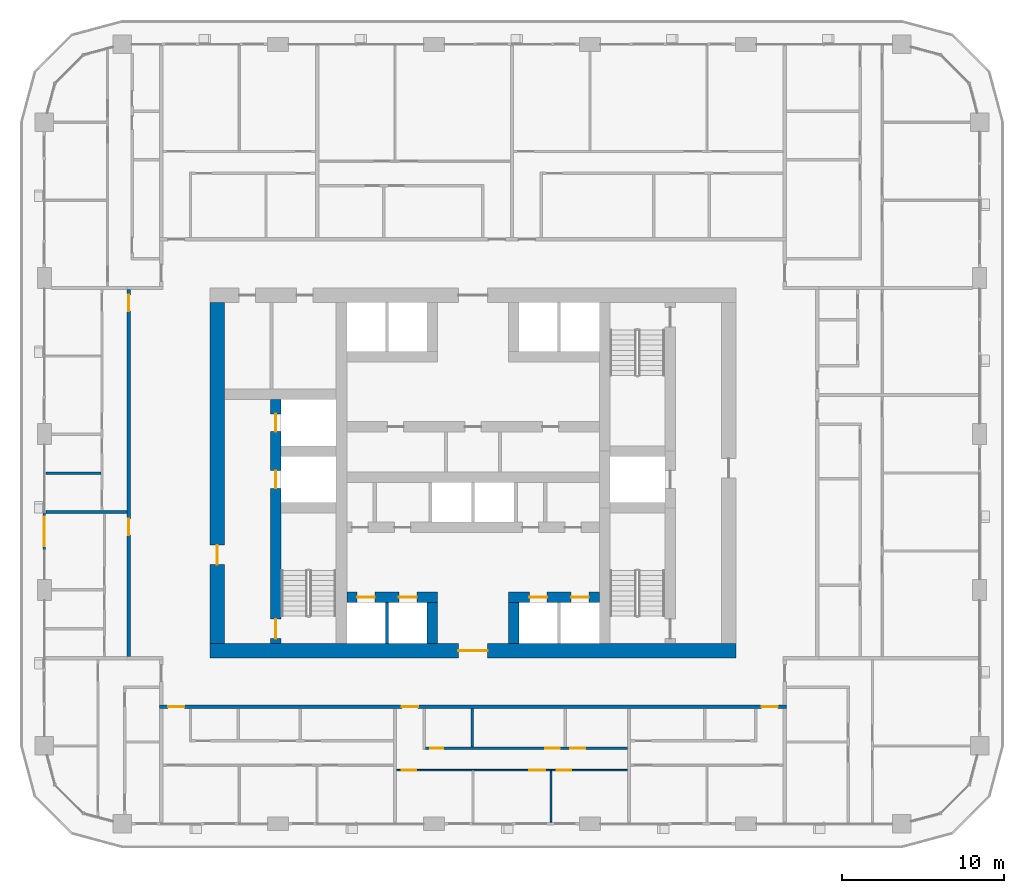
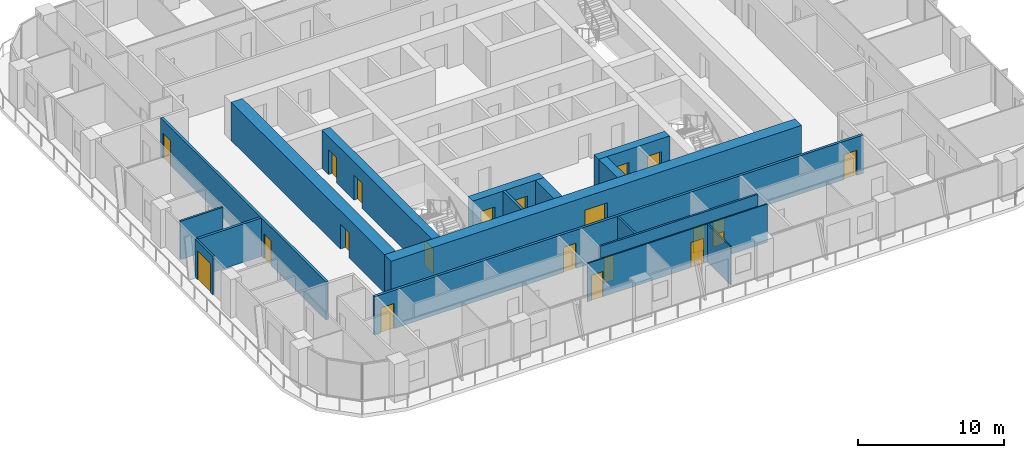
# One storey, part 10 of 22: 21 doors, 17 walls, 21 openings.
"""IFC4 building model written with IfcOpenShell, lengths in metres."""

from ifc_helpers import new_model, si_unit, direction, frame, frame_2d, origin, place, context, subcontext, project, spatial, rectangle, extrude, material, layer, layer_set, type_object, element, fill, save


model = new_model("IFC4")

# Units and contexts
model_context = context("Model", 3, precision=1e-05, world=origin(), true_north=direction((0.0, 1.0)))
body_context = subcontext(model_context, "Body", "Model", "MODEL_VIEW")
ifc_project = project(units=[si_unit("LENGTHUNIT", "METRE"), si_unit("AREAUNIT", "SQUARE_METRE"), si_unit("VOLUMEUNIT", "CUBIC_METRE"), si_unit("PLANEANGLEUNIT", "RADIAN"), si_unit("MASSUNIT", "GRAM", prefix="KILO")], contexts=[model_context])

# Site, building, storey
site_placement = place(None, origin())
site = spatial("IfcSite", under=ifc_project, at=site_placement, CompositionType="ELEMENT")
building_placement = place(site_placement, origin())
building = spatial("IfcBuilding", under=site, at=building_placement, Name="Madar Terraces", CompositionType="ELEMENT")
storey_placement = place(building_placement, frame((0.0, 0.0, 99.699951171875)))
storey = spatial("IfcBuildingStorey", under=building, at=storey_placement, Name="L25", CompositionType="ELEMENT", Elevation=99.699951171875)

# Wall, openings, doors
ifc_material_1 = material(Name="Concrete C80/95", Category="concrete")
ifc_layer_1 = layer(ifc_material_1, 0.64990234375)
ifc_layer_set_1 = layer_set([ifc_layer_1], Name="Concrete C80/95 (CIW2 RC wall 650)")
wall_type_1 = type_object("IfcWallType", Name="CIW2 RC wall 650", PredefinedType="SHEAR", material=ifc_layer_set_1)
wall_1_placement = place(storey_placement, frame((19.050048828125, 15.89990234375, 0.0), z_axis=(0.0, 0.0, 1.0), x_axis=(0.0, 1.0, 0.0)))
wall_1 = element("IfcWall", 1, at=wall_1_placement, inside=storey, type_object=wall_type_1, Name="CORE SHAFT WALL", PredefinedType="SHEAR", context=body_context, shape_type="SweptSolid", body=[
    extrude(rectangle(XDim=15.025146484375, YDim=0.64990234375, at=frame_2d((7.5126953125, 0.0))), origin(), (0.0, 0.0, 1.0), 3.199951171875),
])
opening_1_placement = place(wall_1_placement, frame((9.550048828125, 0.0, 0.0)))
opening_1 = element("IfcOpeningElement", 2, at=opening_1_placement, cuts=wall_1, Name="Opening LD", PredefinedType="OPENING", context=body_context, shape_type="SweptSolid", body=[
    extrude(rectangle(XDim=1.10009765625, YDim=2.10009765625, at=frame_2d((0.550048828125, 1.050048828125))), frame((0.0, 0.3349609375, 0.0), z_axis=(0.0, -1.0, 0.0), x_axis=(1.0, 0.0, 0.0)), (0.0, 0.0, 1.0), 0.669921875),
])
opening_2_placement = place(wall_1_placement, frame((13.050048828125, 0.0, 0.0)))
opening_2 = element("IfcOpeningElement", 3, at=opening_2_placement, cuts=wall_1, Name="Opening LD", PredefinedType="OPENING", context=body_context, shape_type="SweptSolid", body=[
    extrude(rectangle(XDim=1.10009765625, YDim=2.10009765625, at=frame_2d((0.550048828125, 1.050048828125))), frame((0.0, 0.3349609375, 0.0), z_axis=(0.0, -1.0, 0.0), x_axis=(1.0, 0.0, 0.0)), (0.0, 0.0, 1.0), 0.669921875),
])
opening_3_placement = place(wall_1_placement, frame((0.300048828125, 0.0, 0.0)))
opening_3 = element("IfcOpeningElement", 4, at=opening_3_placement, cuts=wall_1, Name="Opening SD1", PredefinedType="OPENING", context=body_context, shape_type="SweptSolid", body=[
    extrude(rectangle(XDim=1.199951171875, YDim=2.10009765625, at=frame_2d((0.60009765625, 1.050048828125))), frame((0.0, 0.3349609375, 0.0), z_axis=(0.0, -1.0, 0.0), x_axis=(1.0, 0.0, 0.0)), (0.0, 0.0, 1.0), 0.669921875),
])
ifc_material_2 = material(Name="Stainless steel panel", Category="steel")
door_type_1 = type_object("IfcDoorType", Name="Lift landing door 1100 x 2100", OperationType="DOUBLE_DOOR_SLIDING", PredefinedType="DOOR", material=ifc_material_2)
door_1_placement = place(opening_1_placement, origin())
door_1 = element("IfcDoor", 5, at=door_1_placement, inside=storey, type_object=door_type_1, Name="LIFT LANDING DOOR", OperationType="DOUBLE_DOOR_SLIDING", OverallHeight=2.10009765625, OverallWidth=1.10009765625, PredefinedType="DOOR", context=body_context, shape_type="SweptSolid", body=[
    extrude(rectangle(XDim=1.10009765625, YDim=2.10009765625, at=frame_2d((0.550048828125, 1.050048828125))), frame((0.0, 0.02490234375, 0.0), z_axis=(0.0, -1.0, 0.0), x_axis=(1.0, 0.0, 0.0)), (0.0, 0.0, 1.0), 0.050048828125),
])
fill(opening_1, door_1)
door_2_placement = place(opening_2_placement, origin())
door_2 = element("IfcDoor", 6, at=door_2_placement, inside=storey, type_object=door_type_1, Name="LIFT LANDING DOOR", OperationType="DOUBLE_DOOR_SLIDING", OverallHeight=2.10009765625, OverallWidth=1.10009765625, PredefinedType="DOOR", context=body_context, shape_type="SweptSolid", body=[
    extrude(rectangle(XDim=1.10009765625, YDim=2.10009765625, at=frame_2d((0.550048828125, 1.050048828125))), frame((0.0, 0.02490234375, 0.0), z_axis=(0.0, -1.0, 0.0), x_axis=(1.0, 0.0, 0.0)), (0.0, 0.0, 1.0), 0.050048828125),
])
fill(opening_2, door_2)
ifc_material_3 = material(Name="Steel door leaf", Category="steel")
door_type_2 = type_object("IfcDoorType", Name="Stair door 1200 x 2100", OperationType="NOTDEFINED", PredefinedType="DOOR", material=ifc_material_3)
door_3_placement = place(opening_3_placement, frame((1.199951171875, 0.0, 0.0), z_axis=(0.0, 0.0, 1.0), x_axis=(-1.0, 0.0, 0.0)))
door_3 = element("IfcDoor", 7, at=door_3_placement, inside=storey, type_object=door_type_2, Name="STAIR DOOR", OperationType="SINGLE_SWING_LEFT", OverallHeight=2.10009765625, OverallWidth=1.199951171875, PredefinedType="DOOR", context=body_context, shape_type="SweptSolid", body=[
    extrude(rectangle(XDim=1.199951171875, YDim=2.10009765625, at=frame_2d((0.60009765625, 1.050048828125))), frame((0.0, 0.02490234375, 0.0), z_axis=(0.0, -1.0, 0.0), x_axis=(1.0, 0.0, 0.0)), (0.0, 0.0, 1.0), 0.050048828125),
])
fill(opening_3, door_3)

wall_2_placement = place(storey_placement, frame((23.425048828125, 18.75, 0.0), z_axis=(0.0, 0.0, 1.0), x_axis=(1.0, 0.0, 0.0)))
wall_2 = element("IfcWall", 8, at=wall_2_placement, inside=storey, type_object=wall_type_1, Name="CORE SHAFT WALL", PredefinedType="SHEAR", context=body_context, shape_type="SweptSolid", body=[
    extrude(rectangle(XDim=5.599853515625, YDim=0.64990234375, at=frame_2d((2.7998046875, 0.0))), origin(), (0.0, 0.0, 1.0), 3.199951171875),
])
opening_4_placement = place(wall_2_placement, frame((0.637451171875, 0.0, 0.0)))
opening_4 = element("IfcOpeningElement", 9, at=opening_4_placement, cuts=wall_2, Name="Opening LD", PredefinedType="OPENING", context=body_context, shape_type="SweptSolid", body=[
    extrude(rectangle(XDim=1.10009765625, YDim=2.10009765625, at=frame_2d((0.550048828125, 1.050048828125))), frame((0.0, 0.3349609375, 0.0), z_axis=(0.0, -1.0, 0.0), x_axis=(1.0, 0.0, 0.0)), (0.0, 0.0, 1.0), 0.669921875),
])
opening_5_placement = place(wall_2_placement, frame((3.21240234375, 0.0, 0.0)))
opening_5 = element("IfcOpeningElement", 10, at=opening_5_placement, cuts=wall_2, Name="Opening LD", PredefinedType="OPENING", context=body_context, shape_type="SweptSolid", body=[
    extrude(rectangle(XDim=1.10009765625, YDim=2.10009765625, at=frame_2d((0.550048828125, 1.050048828125))), frame((0.0, 0.3349609375, 0.0), z_axis=(0.0, -1.0, 0.0), x_axis=(1.0, 0.0, 0.0)), (0.0, 0.0, 1.0), 0.669921875),
])
door_4_placement = place(opening_4_placement, origin())
door_4 = element("IfcDoor", 11, at=door_4_placement, inside=storey, type_object=door_type_1, Name="LIFT LANDING DOOR", OperationType="DOUBLE_DOOR_SLIDING", OverallHeight=2.10009765625, OverallWidth=1.10009765625, PredefinedType="DOOR", context=body_context, shape_type="SweptSolid", body=[
    extrude(rectangle(XDim=1.10009765625, YDim=2.10009765625, at=frame_2d((0.550048828125, 1.050048828125))), frame((0.0, 0.02490234375, 0.0), z_axis=(0.0, -1.0, 0.0), x_axis=(1.0, 0.0, 0.0)), (0.0, 0.0, 1.0), 0.050048828125),
])
fill(opening_4, door_4)
door_5_placement = place(opening_5_placement, origin())
door_5 = element("IfcDoor", 12, at=door_5_placement, inside=storey, type_object=door_type_1, Name="LIFT LANDING DOOR", OperationType="DOUBLE_DOOR_SLIDING", OverallHeight=2.10009765625, OverallWidth=1.10009765625, PredefinedType="DOOR", context=body_context, shape_type="SweptSolid", body=[
    extrude(rectangle(XDim=1.10009765625, YDim=2.10009765625, at=frame_2d((0.550048828125, 1.050048828125))), frame((0.0, 0.02490234375, 0.0), z_axis=(0.0, -1.0, 0.0), x_axis=(1.0, 0.0, 0.0)), (0.0, 0.0, 1.0), 0.050048828125),
])
fill(opening_5, door_5)

wall_3_placement = place(storey_placement, frame((33.375, 18.75, 0.0), z_axis=(0.0, 0.0, 1.0), x_axis=(1.0, 0.0, 0.0)))
wall_3 = element("IfcWall", 13, at=wall_3_placement, inside=storey, type_object=wall_type_1, Name="CORE SHAFT WALL", PredefinedType="SHEAR", context=body_context, shape_type="SweptSolid", body=[
    extrude(rectangle(XDim=5.60009765625, YDim=0.64990234375, at=frame_2d((2.800048828125, 0.0))), origin(), (0.0, 0.0, 1.0), 3.199951171875),
])
opening_6_placement = place(wall_3_placement, frame((1.28759765625, 0.0, 0.0)))
opening_6 = element("IfcOpeningElement", 14, at=opening_6_placement, cuts=wall_3, Name="Opening LD", PredefinedType="OPENING", context=body_context, shape_type="SweptSolid", body=[
    extrude(rectangle(XDim=1.10009765625, YDim=2.10009765625, at=frame_2d((0.550048828125, 1.050048828125))), frame((0.0, 0.3349609375, 0.0), z_axis=(0.0, -1.0, 0.0), x_axis=(1.0, 0.0, 0.0)), (0.0, 0.0, 1.0), 0.669921875),
])
opening_7_placement = place(wall_3_placement, frame((3.862548828125, 0.0, 0.0)))
opening_7 = element("IfcOpeningElement", 15, at=opening_7_placement, cuts=wall_3, Name="Opening LD", PredefinedType="OPENING", context=body_context, shape_type="SweptSolid", body=[
    extrude(rectangle(XDim=1.10009765625, YDim=2.10009765625, at=frame_2d((0.550048828125, 1.050048828125))), frame((0.0, 0.3349609375, 0.0), z_axis=(0.0, -1.0, 0.0), x_axis=(1.0, 0.0, 0.0)), (0.0, 0.0, 1.0), 0.669921875),
])
door_6_placement = place(opening_6_placement, origin())
door_6 = element("IfcDoor", 16, at=door_6_placement, inside=storey, type_object=door_type_1, Name="LIFT LANDING DOOR", OperationType="DOUBLE_DOOR_SLIDING", OverallHeight=2.10009765625, OverallWidth=1.10009765625, PredefinedType="DOOR", context=body_context, shape_type="SweptSolid", body=[
    extrude(rectangle(XDim=1.10009765625, YDim=2.10009765625, at=frame_2d((0.550048828125, 1.050048828125))), frame((0.0, 0.02490234375, 0.0), z_axis=(0.0, -1.0, 0.0), x_axis=(1.0, 0.0, 0.0)), (0.0, 0.0, 1.0), 0.050048828125),
])
fill(opening_6, door_6)
door_7_placement = place(opening_7_placement, origin())
door_7 = element("IfcDoor", 17, at=door_7_placement, inside=storey, type_object=door_type_1, Name="LIFT LANDING DOOR", OperationType="DOUBLE_DOOR_SLIDING", OverallHeight=2.10009765625, OverallWidth=1.10009765625, PredefinedType="DOOR", context=body_context, shape_type="SweptSolid", body=[
    extrude(rectangle(XDim=1.10009765625, YDim=2.10009765625, at=frame_2d((0.550048828125, 1.050048828125))), frame((0.0, 0.02490234375, 0.0), z_axis=(0.0, -1.0, 0.0), x_axis=(1.0, 0.0, 0.0)), (0.0, 0.0, 1.0), 0.050048828125),
])
fill(opening_7, door_7)

# Walls
for number, where, z_axis, x_axis, name in (
    (18, (28.699951171875, 15.89990234375, 0.0), (0.0, 0.0, 1.0), (0.0, 1.0, 0.0), "CORE SHAFT WALL"),
    (19, (33.699951171875, 15.89990234375, 0.0), (0.0, 0.0, 1.0), (0.0, 1.0, 0.0), "CORE SHAFT WALL"),
):
    element("IfcWall", number, at=place(storey_placement, frame(where, z_axis=z_axis, x_axis=x_axis)), inside=storey, type_object=wall_type_1, Name=name, PredefinedType="SHEAR", context=body_context, shape_type="SweptSolid", body=[
        extrude(rectangle(XDim=2.525146484375, YDim=0.64990234375, at=frame_2d((1.2626953125, 0.0))), origin(), (0.0, 0.0, 1.0), 3.199951171875),
    ])

# Wall, opening, door
ifc_material_4 = material(Name="Concrete C80/95", Category="concrete")
ifc_layer_2 = layer(ifc_material_4, 0.89990234375)
ifc_layer_set_2 = layer_set([ifc_layer_2], Name="Concrete C80/95 (CRW2 RC wall 900)")
wall_type_2 = type_object("IfcWallType", Name="CRW2 RC wall 900", PredefinedType="SHEAR", material=ifc_layer_set_2)
wall_4_placement = place(storey_placement, frame((15.0, 15.449951171875, 0.0), z_axis=(0.0, 0.0, 1.0), x_axis=(1.0, 0.0, 0.0)))
wall_4 = element("IfcWall", 20, at=wall_4_placement, inside=storey, type_object=wall_type_2, Name="CORE OUTER WALL", PredefinedType="SHEAR", context=body_context, shape_type="SweptSolid", body=[
    extrude(rectangle(XDim=32.39990234375, YDim=0.89990234375, at=frame_2d((16.199951171875, 0.0))), origin(), (0.0, 0.0, 1.0), 3.199951171875),
])
opening_8_placement = place(wall_4_placement, frame((15.300048828125, 0.0, 0.0)))
opening_8 = element("IfcOpeningElement", 21, at=opening_8_placement, cuts=wall_4, Name="Opening KD1", PredefinedType="OPENING", context=body_context, shape_type="SweptSolid", body=[
    extrude(rectangle(XDim=1.800048828125, YDim=2.10009765625, at=frame_2d((0.89990234375, 1.050048828125))), frame((0.0, 0.4599609375, 0.0), z_axis=(0.0, -1.0, 0.0), x_axis=(1.0, 0.0, 0.0)), (0.0, 0.0, 1.0), 0.919921875),
])
ifc_material_5 = material(Name="Steel door leaf", Category="steel")
door_type_3 = type_object("IfcDoorType", Name="Lobby door pair 1800 x 2100", OperationType="DOUBLE_DOOR_SINGLE_SWING", PredefinedType="DOOR", material=ifc_material_5)
door_8_placement = place(opening_8_placement, frame((1.800048828125, 0.0, 0.0), z_axis=(0.0, 0.0, 1.0), x_axis=(-1.0, 0.0, 0.0)))
door_8 = element("IfcDoor", 22, at=door_8_placement, inside=storey, type_object=door_type_3, Name="LIFT LOBBY DOOR", OperationType="DOUBLE_DOOR_SINGLE_SWING", OverallHeight=2.10009765625, OverallWidth=1.800048828125, PredefinedType="DOOR", context=body_context, shape_type="SweptSolid", body=[
    extrude(rectangle(XDim=1.800048828125, YDim=2.10009765625, at=frame_2d((0.89990234375, 1.050048828125))), frame((0.0, 0.02490234375, 0.0), z_axis=(0.0, -1.0, 0.0), x_axis=(1.0, 0.0, 0.0)), (0.0, 0.0, 1.0), 0.050048828125),
])
fill(opening_8, door_8)

wall_5_placement = place(storey_placement, frame((15.449951171875, 15.89990234375, 0.0), z_axis=(0.0, 0.0, 1.0), x_axis=(0.0, 1.0, 0.0)))
wall_5 = element("IfcWall", 23, at=wall_5_placement, inside=storey, type_object=wall_type_2, Name="CORE OUTER WALL", PredefinedType="SHEAR", context=body_context, shape_type="SweptSolid", body=[
    extrude(rectangle(XDim=21.0, YDim=0.89990234375, at=frame_2d((10.5, 0.0))), origin(), (0.0, 0.0, 1.0), 3.199951171875),
])
opening_9_placement = place(wall_5_placement, frame((4.860107421875, 0.0, 0.0)))
opening_9 = element("IfcOpeningElement", 24, at=opening_9_placement, cuts=wall_5, Name="Opening SD1", PredefinedType="OPENING", context=body_context, shape_type="SweptSolid", body=[
    extrude(rectangle(XDim=1.199951171875, YDim=2.10009765625, at=frame_2d((0.60009765625, 1.050048828125))), frame((0.0, 0.4599609375, 0.0), z_axis=(0.0, -1.0, 0.0), x_axis=(1.0, 0.0, 0.0)), (0.0, 0.0, 1.0), 0.919921875),
])
door_9_placement = place(opening_9_placement, frame((1.199951171875, 0.0, 0.0), z_axis=(0.0, 0.0, 1.0), x_axis=(-1.0, 0.0, 0.0)))
door_9 = element("IfcDoor", 25, at=door_9_placement, inside=storey, type_object=door_type_2, Name="STAIR DOOR", OperationType="SINGLE_SWING_RIGHT", OverallHeight=2.10009765625, OverallWidth=1.199951171875, PredefinedType="DOOR", context=body_context, shape_type="SweptSolid", body=[
    extrude(rectangle(XDim=1.199951171875, YDim=2.10009765625, at=frame_2d((0.60009765625, 1.050048828125))), frame((0.0, 0.02490234375, 0.0), z_axis=(0.0, -1.0, 0.0), x_axis=(1.0, 0.0, 0.0)), (0.0, 0.0, 1.0), 0.050048828125),
])
fill(opening_9, door_9)

# Wall
ifc_material_6 = material(Name="Concrete C40/50", Category="concrete")
ifc_layer_3 = layer(ifc_material_6, 0.199951171875)
ifc_layer_set_3 = layer_set([ifc_layer_3], Name="Core shaft dividing wall 200 C40/50")
wall_type_3 = type_object("IfcWallType", Name="Core shaft dividing wall 200 C40/50", PredefinedType="SOLIDWALL", material=ifc_layer_set_3)
wall_6_placement = place(storey_placement, frame((25.89990234375, 15.89990234375, 0.0), z_axis=(0.0, 0.0, 1.0), x_axis=(0.0, 1.0, 0.0)))
element("IfcWall", 26, at=wall_6_placement, inside=storey, type_object=wall_type_3, Name="SHAFT DIVIDING WALL", PredefinedType="SOLIDWALL", context=body_context, shape_type="SweptSolid", body=[
    extrude(rectangle(XDim=2.525146484375, YDim=0.199951171875, at=frame_2d((1.2626953125, 0.0))), origin(), (0.0, 0.0, 1.0), 3.199951171875),
])

# Wall, opening, door
ifc_material_7 = material(Name="Aluminium composite panel, black, over insulated backing", Category="aluminium")
ifc_layer_4 = layer(ifc_material_7, 0.14990234375)
ifc_layer_set_4 = layer_set([ifc_layer_4], Name="Facade bay panel 150")
wall_type_4 = type_object("IfcWallType", Name="Facade bay panel 150", PredefinedType="SOLIDWALL", material=ifc_layer_set_4)
wall_7_placement = place(storey_placement, frame((4.800048828125, 24.0, 0.0), z_axis=(0.0, 0.0, 1.0), x_axis=(0.0, -1.0, 0.0)))
wall_7 = element("IfcWall", 27, at=wall_7_placement, inside=storey, type_object=wall_type_4, Name="Facade bay panel", PredefinedType="SOLIDWALL", context=body_context, shape_type="SweptSolid", body=[
    extrude(rectangle(XDim=2.39990234375, YDim=0.14990234375, at=frame_2d((1.199951171875, 0.0))), origin(), (0.0, 0.0, 1.0), 3.199951171875),
])
opening_10_placement = place(wall_7_placement, frame((0.300048828125, 0.0, 0.0)))
opening_10 = element("IfcOpeningElement", 28, at=opening_10_placement, cuts=wall_7, Name="Opening ED1", PredefinedType="OPENING", context=body_context, shape_type="SweptSolid", body=[
    extrude(rectangle(XDim=1.800048828125, YDim=2.39990234375, at=frame_2d((0.89990234375, 1.199951171875))), frame((0.0, 0.0849609375, 0.0), z_axis=(0.0, -1.0, 0.0), x_axis=(1.0, 0.0, 0.0)), (0.0, 0.0, 1.0), 0.169921875),
])
ifc_material_8 = material(Name="Glass, clear, with black aluminium frame", Category="aluminium")
door_type_4 = type_object("IfcDoorType", Name="Balcony and terrace sliding door 1800 x 2400", OperationType="SLIDING_TO_LEFT", PredefinedType="DOOR", material=ifc_material_8)
door_10_placement = place(opening_10_placement, origin())
door_10 = element("IfcDoor", 29, at=door_10_placement, inside=storey, type_object=door_type_4, Name="Balcony door", OperationType="SLIDING_TO_LEFT", OverallHeight=2.39990234375, OverallWidth=1.800048828125, PredefinedType="DOOR", context=body_context, shape_type="SweptSolid", body=[
    extrude(rectangle(XDim=1.800048828125, YDim=2.39990234375, at=frame_2d((0.89990234375, 1.199951171875))), frame((0.0, 0.02490234375, 0.0), z_axis=(0.0, -1.0, 0.0), x_axis=(1.0, 0.0, 0.0)), (0.0, 0.0, 1.0), 0.050048828125),
])
fill(opening_10, door_10)

# Wall
ifc_material_9 = material(Name="Gypsum board on steel studs", Category="steel")
ifc_layer_5 = layer(ifc_material_9, 0.10009765625)
ifc_layer_set_5 = layer_set([ifc_layer_5], Name="Flat partition 100")
wall_type_5 = type_object("IfcWallType", Name="Flat partition 100", PredefinedType="PARTITIONING", material=ifc_layer_set_5)
wall_8_placement = place(storey_placement, frame((36.0, 8.050048828125, 0.0), z_axis=(0.0, 0.0, 1.0), x_axis=(0.0, -1.0, 0.0)))
element("IfcWall", 30, at=wall_8_placement, inside=storey, type_object=wall_type_5, Name="Flat partition 100", PredefinedType="PARTITIONING", context=body_context, shape_type="SweptSolid", body=[
    extrude(rectangle(XDim=3.150146484375, YDim=0.10009765625, at=frame_2d((1.5751953125, 0.0))), origin(), (0.0, 0.0, 1.0), 3.199951171875),
])

# Wall, openings, doors
wall_9_placement = place(storey_placement, frame((40.699951171875, 8.10009765625, 0.0), z_axis=(0.0, 0.0, 1.0), x_axis=(-1.0, 0.0, 0.0)))
wall_9 = element("IfcWall", 31, at=wall_9_placement, inside=storey, type_object=wall_type_5, Name="Flat partition 100", PredefinedType="PARTITIONING", context=body_context, shape_type="SweptSolid", body=[
    extrude(rectangle(XDim=14.199951171875, YDim=0.10009765625, at=frame_2d((7.10009765625, 0.0))), origin(), (0.0, 0.0, 1.0), 3.199951171875),
])
opening_11_placement = place(wall_9_placement, frame((13.0, 0.0, 0.0)))
opening_11 = element("IfcOpeningElement", 32, at=opening_11_placement, cuts=wall_9, Name="Opening D2", PredefinedType="OPENING", context=body_context, shape_type="SweptSolid", body=[
    extrude(rectangle(XDim=0.89990234375, YDim=2.10009765625, at=frame_2d((0.449951171875, 1.050048828125))), frame((0.0, 0.06005859375, 0.0), z_axis=(0.0, -1.0, 0.0), x_axis=(1.0, 0.0, 0.0)), (0.0, 0.0, 1.0), 0.1201171875),
])
opening_12_placement = place(wall_9_placement, frame((5.050048828125, 0.0, 0.0)))
opening_12 = element("IfcOpeningElement", 33, at=opening_12_placement, cuts=wall_9, Name="Opening D3", PredefinedType="OPENING", context=body_context, shape_type="SweptSolid", body=[
    extrude(rectangle(XDim=1.0, YDim=2.10009765625, at=frame_2d((0.5, 1.050048828125))), frame((0.0, 0.06005859375, 0.0), z_axis=(0.0, -1.0, 0.0), x_axis=(1.0, 0.0, 0.0)), (0.0, 0.0, 1.0), 0.1201171875),
])
opening_13_placement = place(wall_9_placement, frame((3.449951171875, 0.0, 0.0)))
opening_13 = element("IfcOpeningElement", 34, at=opening_13_placement, cuts=wall_9, Name="Opening D2", PredefinedType="OPENING", context=body_context, shape_type="SweptSolid", body=[
    extrude(rectangle(XDim=0.89990234375, YDim=2.10009765625, at=frame_2d((0.449951171875, 1.050048828125))), frame((0.0, 0.06005859375, 0.0), z_axis=(0.0, -1.0, 0.0), x_axis=(1.0, 0.0, 0.0)), (0.0, 0.0, 1.0), 0.1201171875),
])
ifc_material_10 = material(Name="Timber door leaf", Category="wood")
door_type_5 = type_object("IfcDoorType", Name="Flat living room door 1000", OperationType="NOTDEFINED", PredefinedType="DOOR", material=ifc_material_10)
door_11_placement = place(opening_12_placement, origin())
door_11 = element("IfcDoor", 35, at=door_11_placement, inside=storey, type_object=door_type_5, Name="Flat living room door 1000", OperationType="SINGLE_SWING_LEFT", OverallHeight=2.10009765625, OverallWidth=1.0, PredefinedType="DOOR", context=body_context, shape_type="SweptSolid", body=[
    extrude(rectangle(XDim=1.0, YDim=2.10009765625, at=frame_2d((0.5, 1.050048828125))), frame((0.0, 0.02490234375, 0.0), z_axis=(0.0, -1.0, 0.0), x_axis=(1.0, 0.0, 0.0)), (0.0, 0.0, 1.0), 0.050048828125),
])
fill(opening_12, door_11)
ifc_material_11 = material(Name="Timber door leaf", Category="wood")
door_type_6 = type_object("IfcDoorType", Name="Flat room door 900", OperationType="NOTDEFINED", PredefinedType="DOOR", material=ifc_material_11)
door_12_placement = place(opening_11_placement, origin())
door_12 = element("IfcDoor", 36, at=door_12_placement, inside=storey, type_object=door_type_6, Name="Flat room door 900", OperationType="SINGLE_SWING_RIGHT", OverallHeight=2.10009765625, OverallWidth=0.89990234375, PredefinedType="DOOR", context=body_context, shape_type="SweptSolid", body=[
    extrude(rectangle(XDim=0.89990234375, YDim=2.10009765625, at=frame_2d((0.449951171875, 1.050048828125))), frame((0.0, 0.02490234375, 0.0), z_axis=(0.0, -1.0, 0.0), x_axis=(1.0, 0.0, 0.0)), (0.0, 0.0, 1.0), 0.050048828125),
])
fill(opening_11, door_12)
door_13_placement = place(opening_13_placement, origin())
door_13 = element("IfcDoor", 37, at=door_13_placement, inside=storey, type_object=door_type_6, Name="Flat room door 900", OperationType="SINGLE_SWING_RIGHT", OverallHeight=2.10009765625, OverallWidth=0.89990234375, PredefinedType="DOOR", context=body_context, shape_type="SweptSolid", body=[
    extrude(rectangle(XDim=0.89990234375, YDim=2.10009765625, at=frame_2d((0.449951171875, 1.050048828125))), frame((0.0, 0.02490234375, 0.0), z_axis=(0.0, -1.0, 0.0), x_axis=(1.0, 0.0, 0.0)), (0.0, 0.0, 1.0), 0.050048828125),
])
fill(opening_13, door_13)

ifc_material_12 = material(Name="Lightweight blockwork", Category="masonry")
ifc_layer_6 = layer(ifc_material_12, 0.199951171875)
ifc_layer_set_6 = layer_set([ifc_layer_6], Name="Flat party and entrance wall 200")
wall_type_6 = type_object("IfcWallType", Name="Flat party and entrance wall 200", PredefinedType="PARTITIONING", material=ifc_layer_set_6)
wall_10_placement = place(storey_placement, frame((50.5, 12.0, 0.0), z_axis=(0.0, 0.0, 1.0), x_axis=(-1.0, 0.0, 0.0)))
wall_10 = element("IfcWall", 38, at=wall_10_placement, inside=storey, type_object=wall_type_6, Name="Flat party and entrance wall 200", PredefinedType="PARTITIONING", context=body_context, shape_type="SweptSolid", body=[
    extrude(rectangle(XDim=38.60009765625, YDim=0.199951171875, at=frame_2d((19.300048828125, 0.0))), origin(), (0.0, 0.0, 1.0), 3.199951171875),
])
opening_14_placement = place(wall_10_placement, frame((37.074951171875, 0.0, 0.0)))
opening_14 = element("IfcOpeningElement", 39, at=opening_14_placement, cuts=wall_10, Name="Opening D1", PredefinedType="OPENING", context=body_context, shape_type="SweptSolid", body=[
    extrude(rectangle(XDim=1.0, YDim=2.10009765625, at=frame_2d((0.5, 1.050048828125))), frame((0.0, 0.10986328125, 0.0), z_axis=(0.0, -1.0, 0.0), x_axis=(1.0, 0.0, 0.0)), (0.0, 0.0, 1.0), 0.219970703125),
])
opening_15_placement = place(wall_10_placement, frame((22.675048828125, 0.0, 0.0)))
opening_15 = element("IfcOpeningElement", 40, at=opening_15_placement, cuts=wall_10, Name="Opening D1", PredefinedType="OPENING", context=body_context, shape_type="SweptSolid", body=[
    extrude(rectangle(XDim=1.0, YDim=2.10009765625, at=frame_2d((0.5, 1.050048828125))), frame((0.0, 0.10986328125, 0.0), z_axis=(0.0, -1.0, 0.0), x_axis=(1.0, 0.0, 0.0)), (0.0, 0.0, 1.0), 0.219970703125),
])
opening_16_placement = place(wall_10_placement, frame((0.52490234375, 0.0, 0.0)))
opening_16 = element("IfcOpeningElement", 41, at=opening_16_placement, cuts=wall_10, Name="Opening D1", PredefinedType="OPENING", context=body_context, shape_type="SweptSolid", body=[
    extrude(rectangle(XDim=1.0, YDim=2.10009765625, at=frame_2d((0.5, 1.050048828125))), frame((0.0, 0.10986328125, 0.0), z_axis=(0.0, -1.0, 0.0), x_axis=(1.0, 0.0, 0.0)), (0.0, 0.0, 1.0), 0.219970703125),
])
ifc_material_13 = material(Name="Timber fire door leaf", Category="wood")
door_type_7 = type_object("IfcDoorType", Name="Flat entrance door 1000 FD30S", OperationType="NOTDEFINED", PredefinedType="DOOR", material=ifc_material_13)
door_14_placement = place(opening_14_placement, origin())
door_14 = element("IfcDoor", 42, at=door_14_placement, inside=storey, type_object=door_type_7, Name="Flat entrance door 1000 FD30S", OperationType="SINGLE_SWING_RIGHT", OverallHeight=2.10009765625, OverallWidth=1.0, PredefinedType="DOOR", context=body_context, shape_type="SweptSolid", body=[
    extrude(rectangle(XDim=1.0, YDim=2.10009765625, at=frame_2d((0.5, 1.050048828125))), frame((0.0, 0.02490234375, 0.0), z_axis=(0.0, -1.0, 0.0), x_axis=(1.0, 0.0, 0.0)), (0.0, 0.0, 1.0), 0.050048828125),
])
fill(opening_14, door_14)
door_15_placement = place(opening_15_placement, origin())
door_15 = element("IfcDoor", 43, at=door_15_placement, inside=storey, type_object=door_type_7, Name="Flat entrance door 1000 FD30S", OperationType="SINGLE_SWING_RIGHT", OverallHeight=2.10009765625, OverallWidth=1.0, PredefinedType="DOOR", context=body_context, shape_type="SweptSolid", body=[
    extrude(rectangle(XDim=1.0, YDim=2.10009765625, at=frame_2d((0.5, 1.050048828125))), frame((0.0, 0.02490234375, 0.0), z_axis=(0.0, -1.0, 0.0), x_axis=(1.0, 0.0, 0.0)), (0.0, 0.0, 1.0), 0.050048828125),
])
fill(opening_15, door_15)
door_16_placement = place(opening_16_placement, origin())
door_16 = element("IfcDoor", 44, at=door_16_placement, inside=storey, type_object=door_type_7, Name="Flat entrance door 1000 FD30S", OperationType="SINGLE_SWING_LEFT", OverallHeight=2.10009765625, OverallWidth=1.0, PredefinedType="DOOR", context=body_context, shape_type="SweptSolid", body=[
    extrude(rectangle(XDim=1.0, YDim=2.10009765625, at=frame_2d((0.5, 1.050048828125))), frame((0.0, 0.02490234375, 0.0), z_axis=(0.0, -1.0, 0.0), x_axis=(1.0, 0.0, 0.0)), (0.0, 0.0, 1.0), 0.050048828125),
])
fill(opening_16, door_16)

wall_11_placement = place(storey_placement, frame((10.0, 15.10009765625, 0.0), z_axis=(0.0, 0.0, 1.0), x_axis=(0.0, 1.0, 0.0)))
wall_11 = element("IfcWall", 45, at=wall_11_placement, inside=storey, type_object=wall_type_6, Name="Flat party and entrance wall 200", PredefinedType="PARTITIONING", context=body_context, shape_type="SweptSolid", body=[
    extrude(rectangle(XDim=22.599853515625, YDim=0.199951171875, at=frame_2d((11.2998046875, 0.0))), origin(), (0.0, 0.0, 1.0), 3.199951171875),
])
opening_17_placement = place(wall_11_placement, frame((21.27490234375, 0.0, 0.0)))
opening_17 = element("IfcOpeningElement", 46, at=opening_17_placement, cuts=wall_11, Name="Opening D1", PredefinedType="OPENING", context=body_context, shape_type="SweptSolid", body=[
    extrude(rectangle(XDim=1.0, YDim=2.10009765625, at=frame_2d((0.5, 1.050048828125))), frame((0.0, 0.10986328125, 0.0), z_axis=(0.0, -1.0, 0.0), x_axis=(1.0, 0.0, 0.0)), (0.0, 0.0, 1.0), 0.219970703125),
])
opening_18_placement = place(wall_11_placement, frame((7.47509765625, 0.0, 0.0)))
opening_18 = element("IfcOpeningElement", 47, at=opening_18_placement, cuts=wall_11, Name="Opening D1", PredefinedType="OPENING", context=body_context, shape_type="SweptSolid", body=[
    extrude(rectangle(XDim=1.0, YDim=2.10009765625, at=frame_2d((0.5, 1.050048828125))), frame((0.0, 0.10986328125, 0.0), z_axis=(0.0, -1.0, 0.0), x_axis=(1.0, 0.0, 0.0)), (0.0, 0.0, 1.0), 0.219970703125),
])
door_17_placement = place(opening_17_placement, origin())
door_17 = element("IfcDoor", 48, at=door_17_placement, inside=storey, type_object=door_type_7, Name="Flat entrance door 1000 FD30S", OperationType="SINGLE_SWING_RIGHT", OverallHeight=2.10009765625, OverallWidth=1.0, PredefinedType="DOOR", context=body_context, shape_type="SweptSolid", body=[
    extrude(rectangle(XDim=1.0, YDim=2.10009765625, at=frame_2d((0.5, 1.050048828125))), frame((0.0, 0.02490234375, 0.0), z_axis=(0.0, -1.0, 0.0), x_axis=(1.0, 0.0, 0.0)), (0.0, 0.0, 1.0), 0.050048828125),
])
fill(opening_17, door_17)
door_18_placement = place(opening_18_placement, origin())
door_18 = element("IfcDoor", 49, at=door_18_placement, inside=storey, type_object=door_type_7, Name="Flat entrance door 1000 FD30S", OperationType="SINGLE_SWING_RIGHT", OverallHeight=2.10009765625, OverallWidth=1.0, PredefinedType="DOOR", context=body_context, shape_type="SweptSolid", body=[
    extrude(rectangle(XDim=1.0, YDim=2.10009765625, at=frame_2d((0.5, 1.050048828125))), frame((0.0, 0.02490234375, 0.0), z_axis=(0.0, -1.0, 0.0), x_axis=(1.0, 0.0, 0.0)), (0.0, 0.0, 1.0), 0.050048828125),
])
fill(opening_18, door_18)

# Walls
wall_12_placement = place(storey_placement, frame((4.89990234375, 24.0, 0.0), z_axis=(0.0, 0.0, 1.0), x_axis=(1.0, 0.0, 0.0)))
element("IfcWall", 50, at=wall_12_placement, inside=storey, type_object=wall_type_6, Name="Flat party and entrance wall 200", PredefinedType="PARTITIONING", context=body_context, shape_type="SweptSolid", body=[
    extrude(rectangle(XDim=5.0, YDim=0.199951171875, at=frame_2d((2.5, 0.0))), origin(), (0.0, 0.0, 1.0), 3.199951171875),
])
ifc_material_14 = material(Name="Lightweight blockwork", Category="masonry")
ifc_layer_7 = layer(ifc_material_14, 0.14990234375)
ifc_layer_set_7 = layer_set([ifc_layer_7], Name="Flat wet-room partition 150")
wall_type_7 = type_object("IfcWallType", Name="Flat wet-room partition 150", PredefinedType="PARTITIONING", material=ifc_layer_set_7)
wall_13_placement = place(storey_placement, frame((31.142333984375, 11.89990234375, 0.0), z_axis=(0.0, 0.0, 1.0), x_axis=(0.0, -1.0, 0.0)))
element("IfcWall", 51, at=wall_13_placement, inside=storey, type_object=wall_type_7, Name="Flat wet-room partition 150", PredefinedType="PARTITIONING", context=body_context, shape_type="SweptSolid", body=[
    extrude(rectangle(XDim=2.375, YDim=0.14990234375, at=frame_2d((1.1875, 0.0))), origin(), (0.0, 0.0, 1.0), 3.199951171875),
])

# Wall, openings, doors
wall_14_placement = place(storey_placement, frame((28.27490234375, 9.449951171875, 0.0), z_axis=(0.0, 0.0, 1.0), x_axis=(1.0, 0.0, 0.0)))
wall_14 = element("IfcWall", 52, at=wall_14_placement, inside=storey, type_object=wall_type_7, Name="Flat wet-room partition 150", PredefinedType="PARTITIONING", context=body_context, shape_type="SweptSolid", body=[
    extrude(rectangle(XDim=12.425048828125, YDim=0.14990234375, at=frame_2d((6.21240234375, 0.0))), origin(), (0.0, 0.0, 1.0), 3.199951171875),
])
opening_19_placement = place(wall_14_placement, frame((0.300048828125, 0.0, 0.0)))
opening_19 = element("IfcOpeningElement", 53, at=opening_19_placement, cuts=wall_14, Name="Opening D4", PredefinedType="OPENING", context=body_context, shape_type="SweptSolid", body=[
    extrude(rectangle(XDim=0.800048828125, YDim=2.10009765625, at=frame_2d((0.39990234375, 1.050048828125))), frame((0.0, 0.0849609375, 0.0), z_axis=(0.0, -1.0, 0.0), x_axis=(1.0, 0.0, 0.0)), (0.0, 0.0, 1.0), 0.169921875),
])
opening_20_placement = place(wall_14_placement, frame((7.376953125, 0.0, 0.0)))
opening_20 = element("IfcOpeningElement", 54, at=opening_20_placement, cuts=wall_14, Name="Opening D2", PredefinedType="OPENING", context=body_context, shape_type="SweptSolid", body=[
    extrude(rectangle(XDim=0.89990234375, YDim=2.10009765625, at=frame_2d((0.449951171875, 1.050048828125))), frame((0.0, 0.0849609375, 0.0), z_axis=(0.0, -1.0, 0.0), x_axis=(1.0, 0.0, 0.0)), (0.0, 0.0, 1.0), 0.169921875),
])
opening_21_placement = place(wall_14_placement, frame((8.927001953125, 0.0, 0.0)))
opening_21 = element("IfcOpeningElement", 55, at=opening_21_placement, cuts=wall_14, Name="Opening D5", PredefinedType="OPENING", context=body_context, shape_type="SweptSolid", body=[
    extrude(rectangle(XDim=0.89990234375, YDim=2.10009765625, at=frame_2d((0.449951171875, 1.050048828125))), frame((0.0, 0.0849609375, 0.0), z_axis=(0.0, -1.0, 0.0), x_axis=(1.0, 0.0, 0.0)), (0.0, 0.0, 1.0), 0.169921875),
])
ifc_material_15 = material(Name="Timber door leaf", Category="wood")
door_type_8 = type_object("IfcDoorType", Name="Flat accessible bathroom door 900", OperationType="NOTDEFINED", PredefinedType="DOOR", material=ifc_material_15)
door_19_placement = place(opening_21_placement, origin())
door_19 = element("IfcDoor", 56, at=door_19_placement, inside=storey, type_object=door_type_8, Name="Flat accessible bathroom door 900", OperationType="SINGLE_SWING_LEFT", OverallHeight=2.10009765625, OverallWidth=0.89990234375, PredefinedType="DOOR", context=body_context, shape_type="SweptSolid", body=[
    extrude(rectangle(XDim=0.89990234375, YDim=2.10009765625, at=frame_2d((0.449951171875, 1.050048828125))), frame((0.0, 0.02490234375, 0.0), z_axis=(0.0, -1.0, 0.0), x_axis=(1.0, 0.0, 0.0)), (0.0, 0.0, 1.0), 0.050048828125),
])
fill(opening_21, door_19)
ifc_material_16 = material(Name="Timber door leaf", Category="wood")
door_type_9 = type_object("IfcDoorType", Name="Flat bathroom door 800", OperationType="NOTDEFINED", PredefinedType="DOOR", material=ifc_material_16)
door_20_placement = place(opening_19_placement, origin())
door_20 = element("IfcDoor", 57, at=door_20_placement, inside=storey, type_object=door_type_9, Name="Flat bathroom door 800", OperationType="SINGLE_SWING_LEFT", OverallHeight=2.10009765625, OverallWidth=0.800048828125, PredefinedType="DOOR", context=body_context, shape_type="SweptSolid", body=[
    extrude(rectangle(XDim=0.800048828125, YDim=2.10009765625, at=frame_2d((0.39990234375, 1.050048828125))), frame((0.0, 0.02490234375, 0.0), z_axis=(0.0, -1.0, 0.0), x_axis=(1.0, 0.0, 0.0)), (0.0, 0.0, 1.0), 0.050048828125),
])
fill(opening_19, door_20)
door_21_placement = place(opening_20_placement, origin())
door_21 = element("IfcDoor", 58, at=door_21_placement, inside=storey, type_object=door_type_6, Name="Flat room door 900", OperationType="SINGLE_SWING_RIGHT", OverallHeight=2.10009765625, OverallWidth=0.89990234375, PredefinedType="DOOR", context=body_context, shape_type="SweptSolid", body=[
    extrude(rectangle(XDim=0.89990234375, YDim=2.10009765625, at=frame_2d((0.449951171875, 1.050048828125))), frame((0.0, 0.02490234375, 0.0), z_axis=(0.0, -1.0, 0.0), x_axis=(1.0, 0.0, 0.0)), (0.0, 0.0, 1.0), 0.050048828125),
])
fill(opening_20, door_21)

# Wall
wall_15_placement = place(storey_placement, frame((8.27490234375, 26.39990234375, 0.0), z_axis=(0.0, 0.0, 1.0), x_axis=(-1.0, 0.0, 0.0)))
element("IfcWall", 59, at=wall_15_placement, inside=storey, type_object=wall_type_7, Name="Flat wet-room partition 150", PredefinedType="PARTITIONING", context=body_context, shape_type="SweptSolid", body=[
    extrude(rectangle(XDim=3.375, YDim=0.14990234375, at=frame_2d((1.6875, 0.0))), origin(), (0.0, 0.0, 1.0), 3.199951171875),
])

save(model, "model.ifc")
